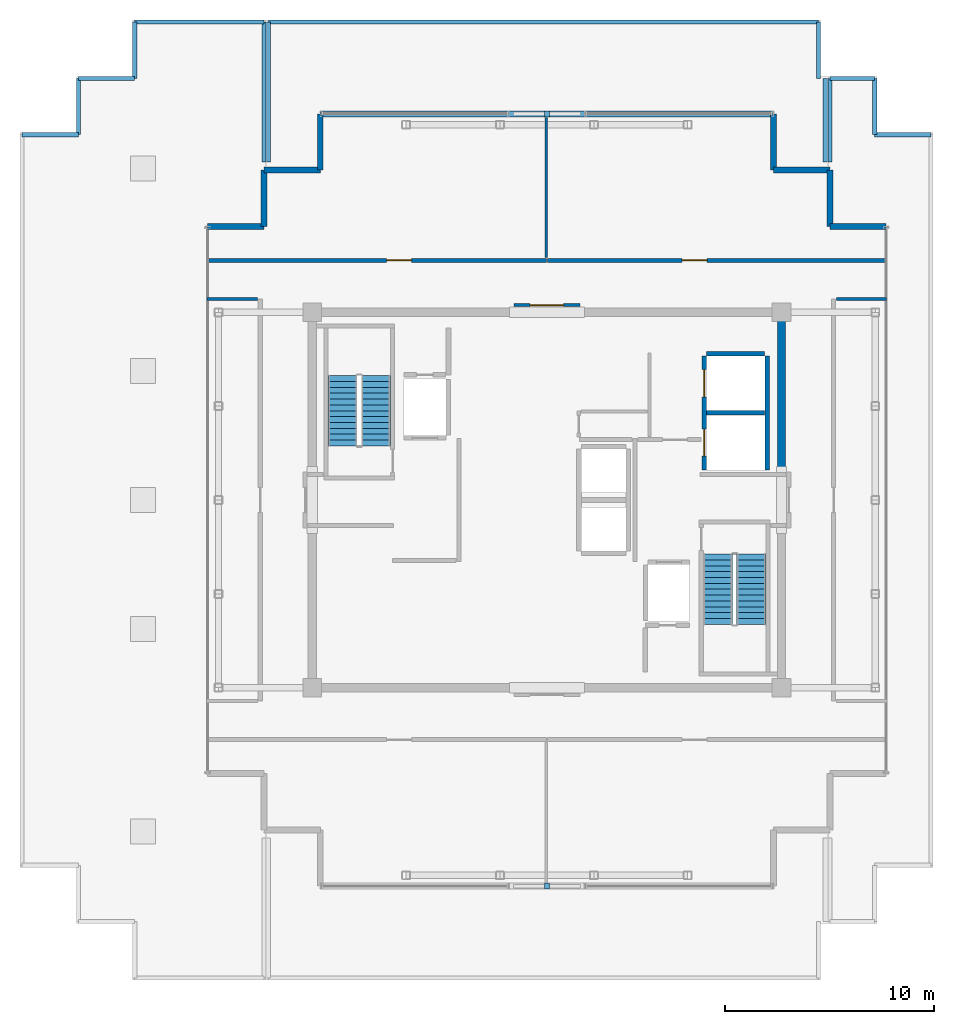
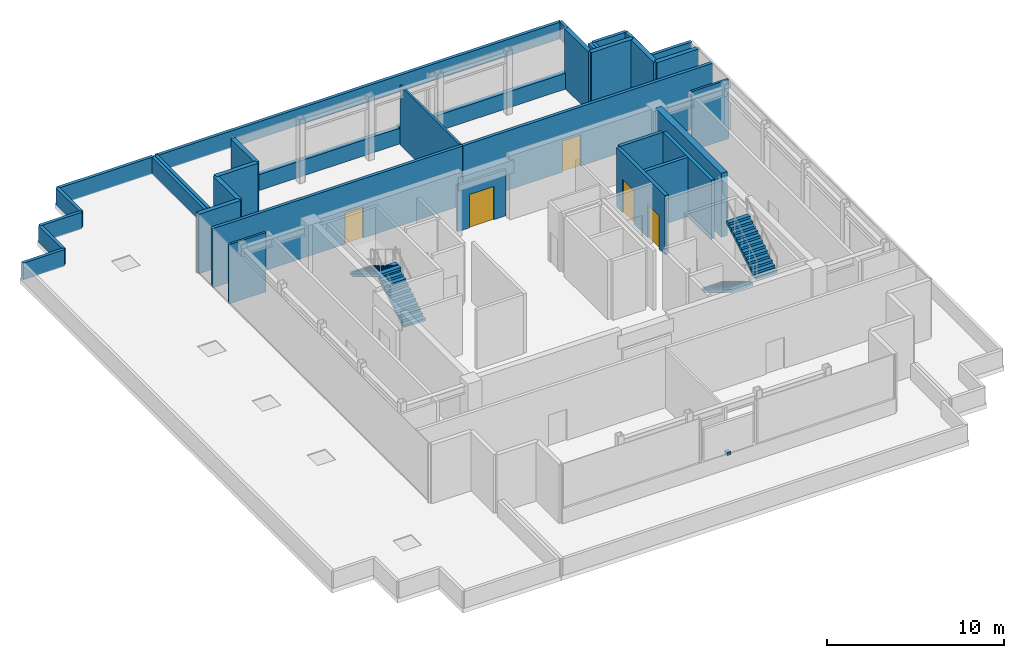
# One storey, part 11 of 14: 34 walls, 5 doors, 4 stair flights, 2 discrete accessories, 5 openings, 2 elements without a shape of their own.
"""IFC4 building model written with IfcOpenShell, lengths in metres."""

from ifc_helpers import new_model, si_unit, direction, frame, frame_2d, origin, origin_2d, place, context, subcontext, project, spatial, polyline, rectangle, outline, extrude, source, transform, mapped, material, layer, layer_set, type_object, element, fill, aggregate, save


model = new_model("IFC4")

# Units and contexts
model_context = context("Model", 3, precision=1e-05, world=origin(), true_north=direction((0.0, 1.0)))
body_context = subcontext(model_context, "Body", "Model", "MODEL_VIEW")
ifc_project = project(units=[si_unit("LENGTHUNIT", "METRE"), si_unit("AREAUNIT", "SQUARE_METRE"), si_unit("VOLUMEUNIT", "CUBIC_METRE"), si_unit("PLANEANGLEUNIT", "RADIAN"), si_unit("MASSUNIT", "GRAM", prefix="KILO")], contexts=[model_context])

# Site, building, storey
site_placement = place(None, origin())
site = spatial("IfcSite", under=ifc_project, at=site_placement, CompositionType="ELEMENT")
building_placement = place(site_placement, origin())
building = spatial("IfcBuilding", under=site, at=building_placement, Name="Nefas-Gora Pilgrimage Tower", CompositionType="ELEMENT")
storey_placement = place(building_placement, frame((0.0, 0.0, 358.60009765625)))
storey = spatial("IfcBuildingStorey", under=building, at=storey_placement, Name="L90", CompositionType="ELEMENT", Elevation=358.60009765625)

# Walls
ifc_material_1 = material(Name="Concrete C50/60", Category="concrete")
ifc_layer_1 = layer(ifc_material_1, 0.39990234375)
ifc_layer_set_1 = layer_set([ifc_layer_1], Name="Concrete C50/60")
wall_type_1 = type_object("IfcWallType", Name="SW-CORE-400", PredefinedType="SHEAR", material=ifc_layer_set_1)
shared_shape_1 = source(origin(), body_context, "Body", "SweptSolid", [
    extrude(rectangle(XDim=7.449951171875, YDim=0.39990234375, at=frame_2d((3.72509765625, 0.0))), origin(), (0.0, 0.0, 1.0), 4.39990234375),
])
wall_1_placement = place(storey_placement, frame((11.25, 1.35009765625, 0.0), z_axis=(0.0, 0.0, 1.0), x_axis=(0.0, 1.0, 0.0)))
element("IfcWall", 1, at=wall_1_placement, inside=storey, type_object=wall_type_1, Name="L90 Core Shear Wall E-North", PredefinedType="SHEAR", context=body_context, shape_type="MappedRepresentation", body=[
    mapped(shared_shape_1, transform((0.0, 0.0, 0.0), x_axis=(1.0, 0.0, 0.0), y_axis=(0.0, 1.0, 0.0), z_axis=(0.0, 0.0, 1.0), scale=1.0)),
])
ifc_material_2 = material(Name="Precast concrete C40/50", Category="concrete")
ifc_layer_2 = layer(ifc_material_2, 0.199951171875)
ifc_layer_set_2 = layer_set([ifc_layer_2], Name="Precast concrete C40/50")
wall_type_2 = type_object("IfcWallType", Name="EW-PARA-200", PredefinedType="PARAPET", material=ifc_layer_set_2)
shared_shape_2 = source(origin(), body_context, "Body", "SweptSolid", [
    extrude(rectangle(XDim=6.199951171875, YDim=0.199951171875, at=frame_2d((3.10009765625, 0.0))), origin(), (0.0, 0.0, 1.0), 1.14990234375),
])
wall_2_placement = place(storey_placement, frame((-19.77001953125, 22.919921875, 0.0), z_axis=(0.0, 0.0, 1.0), x_axis=(1.0, 0.0, 0.0)))
element("IfcWall", 2, at=wall_2_placement, inside=storey, type_object=wall_type_2, Name="L90 Maintenance Roof Perimeter Parapet 1.11", PredefinedType="PARAPET", context=body_context, shape_type="MappedRepresentation", body=[
    mapped(shared_shape_2, transform((0.0, 0.0, 0.0), x_axis=(1.0, 0.0, 0.0), y_axis=(0.0, 1.0, 0.0), z_axis=(0.0, 0.0, 1.0), scale=1.0)),
])
shared_shape_3 = source(origin(), body_context, "Body", "SweptSolid", [
    extrude(rectangle(XDim=2.699951171875, YDim=0.199951171875, at=frame_2d((1.35009765625, 0.0))), origin(), (0.0, 0.0, 1.0), 1.14990234375),
])
for number, where, z_axis, x_axis, name in (
    (3, (-25.169921875, 17.52001953125, 0.0), (0.0, 0.0, 1.0), (1.0, 0.0, 0.0), "L90 Maintenance Roof Perimeter Parapet 1.7"),
    (4, (-22.469970703125, 17.52001953125, 0.0), (0.0, 0.0, 1.0), (0.0, 1.0, 0.0), "L90 Maintenance Roof Perimeter Parapet 1.8"),
    (5, (-22.469970703125, 20.219970703125, 0.0), (0.0, 0.0, 1.0), (1.0, 0.0, 0.0), "L90 Maintenance Roof Perimeter Parapet 1.9"),
    (6, (-19.77001953125, 20.219970703125, 0.0), (0.0, 0.0, 1.0), (0.0, 1.0, 0.0), "L90 Maintenance Roof Perimeter Parapet 1.10"),
    (7, (15.719970703125, 20.219970703125, 0.0), (0.0, 0.0, 1.0), (0.0, -1.0, 0.0), "L90 Maintenance Roof Perimeter Parapet 2.6"),
    (8, (15.719970703125, 17.52001953125, 0.0), (0.0, 0.0, 1.0), (1.0, 0.0, 0.0), "L90 Maintenance Roof Perimeter Parapet 2.7"),
    (9, (13.02001953125, 22.919921875, 0.0), (0.0, 0.0, 1.0), (0.0, -1.0, 0.0), "L90 Maintenance Roof Perimeter Parapet 3.2"),
):
    element("IfcWall", number, at=place(storey_placement, frame(where, z_axis=z_axis, x_axis=x_axis)), inside=storey, type_object=wall_type_2, Name=name, PredefinedType="PARAPET", context=body_context, shape_type="MappedRepresentation", body=[
        mapped(shared_shape_3, transform((0.0, 0.0, 0.0), x_axis=(1.0, 0.0, 0.0), y_axis=(0.0, 1.0, 0.0), z_axis=(0.0, 0.0, 1.0), scale=1.0)),
    ])
shared_shape_4 = source(origin(), body_context, "Body", "SweptSolid", [
    extrude(rectangle(XDim=6.699951171875, YDim=0.199951171875, at=frame_2d((3.35009765625, 0.0))), origin(), (0.0, 0.0, 1.0), 1.14990234375),
])
for number, where, z_axis, x_axis, name in (
    (10, (-13.570068359375, 22.919921875, 0.0), (0.0, 0.0, 1.0), (0.0, -1.0, 0.0), "L90 Maintenance Roof Perimeter Parapet 1.12"),
    (11, (-13.35009765625, 16.219970703125, 0.0), (0.0, 0.0, 1.0), (0.0, 1.0, 0.0), "L90 Maintenance Roof Perimeter Parapet 3.4"),
):
    element("IfcWall", number, at=place(storey_placement, frame(where, z_axis=z_axis, x_axis=x_axis)), inside=storey, type_object=wall_type_2, Name=name, PredefinedType="PARAPET", context=body_context, shape_type="MappedRepresentation", body=[
        mapped(shared_shape_4, transform((0.0, 0.0, 0.0), x_axis=(1.0, 0.0, 0.0), y_axis=(0.0, 1.0, 0.0), z_axis=(0.0, 0.0, 1.0), scale=1.0)),
    ])
shared_shape_5 = source(origin(), body_context, "Body", "SweptSolid", [
    extrude(rectangle(XDim=2.14990234375, YDim=0.199951171875, at=frame_2d((1.074951171875, 0.0))), origin(), (0.0, 0.0, 1.0), 1.14990234375),
])
wall_3_placement = place(storey_placement, frame((13.570068359375, 20.219970703125, 0.0), z_axis=(0.0, 0.0, 1.0), x_axis=(1.0, 0.0, 0.0)))
element("IfcWall", 12, at=wall_3_placement, inside=storey, type_object=wall_type_2, Name="L90 Maintenance Roof Perimeter Parapet 2.5", PredefinedType="PARAPET", context=body_context, shape_type="MappedRepresentation", body=[
    mapped(shared_shape_5, transform((0.0, 0.0, 0.0), x_axis=(1.0, 0.0, 0.0), y_axis=(0.0, 1.0, 0.0), z_axis=(0.0, 0.0, 1.0), scale=1.0)),
])
shared_shape_6 = source(origin(), body_context, "Body", "SweptSolid", [
    extrude(rectangle(XDim=4.0, YDim=0.199951171875, at=frame_2d((2.0, 0.0))), origin(), (0.0, 0.0, 1.0), 1.14990234375),
])
for number, where, z_axis, x_axis, name in (
    (13, (13.570068359375, 16.219970703125, 0.0), (0.0, 0.0, 1.0), (0.0, 1.0, 0.0), "L90 Maintenance Roof Perimeter Parapet 2.4"),
    (14, (13.35009765625, 20.219970703125, 0.0), (0.0, 0.0, 1.0), (0.0, -1.0, 0.0), "L90 Maintenance Roof Perimeter Parapet 3.3"),
):
    element("IfcWall", number, at=place(storey_placement, frame(where, z_axis=z_axis, x_axis=x_axis)), inside=storey, type_object=wall_type_2, Name=name, PredefinedType="PARAPET", context=body_context, shape_type="MappedRepresentation", body=[
        mapped(shared_shape_6, transform((0.0, 0.0, 0.0), x_axis=(1.0, 0.0, 0.0), y_axis=(0.0, 1.0, 0.0), z_axis=(0.0, 0.0, 1.0), scale=1.0)),
    ])
shared_shape_7 = source(origin(), body_context, "Body", "SweptSolid", [
    extrude(rectangle(XDim=26.3701171875, YDim=0.199951171875, at=frame_2d((13.18505859375, 0.0))), origin(), (0.0, 0.0, 1.0), 1.14990234375),
])
wall_4_placement = place(storey_placement, frame((-13.35009765625, 22.919921875, 0.0), z_axis=(0.0, 0.0, 1.0), x_axis=(1.0, 0.0, 0.0)))
element("IfcWall", 15, at=wall_4_placement, inside=storey, type_object=wall_type_2, Name="L90 Maintenance Roof Perimeter Parapet 3.1", PredefinedType="PARAPET", context=body_context, shape_type="MappedRepresentation", body=[
    mapped(shared_shape_7, transform((0.0, 0.0, 0.0), x_axis=(1.0, 0.0, 0.0), y_axis=(0.0, 1.0, 0.0), z_axis=(0.0, 0.0, 1.0), scale=1.0)),
])
ifc_material_3 = material(Name="Precast concrete C45/55", Category="concrete")
ifc_layer_3 = layer(ifc_material_3, 0.280029296875)
ifc_layer_set_3 = layer_set([ifc_layer_3], Name="Precast concrete C45/55")
wall_type_3 = type_object("IfcWallType", Name="EW-PLANT-280", PredefinedType="SOLIDWALL", material=ifc_layer_set_3)
shared_shape_8 = source(origin(), body_context, "Body", "SweptSolid", [
    extrude(rectangle(XDim=2.699951171875, YDim=0.280029296875, at=frame_2d((1.35009765625, 0.0))), origin(), (0.0, 0.0, 1.0), 4.099853515625),
])
for number, where, z_axis, x_axis, name in (
    (16, (16.27001953125, 13.1201171875, 0.0), (0.0, 0.0, 1.0), (-1.0, 0.0, 0.0), "L90 Serrated Corner Shear Pier Wall 1"),
    (17, (13.570068359375, 13.1201171875, 0.0), (0.0, 0.0, 1.0), (0.0, 1.0, 0.0), "L90 Serrated Corner Shear Pier Wall 2"),
    (18, (13.570068359375, 15.820068359375, 0.0), (0.0, 0.0, 1.0), (-1.0, 0.0, 0.0), "L90 Serrated Corner Shear Pier Wall 3"),
    (19, (10.8701171875, 15.820068359375, 0.0), (0.0, 0.0, 1.0), (0.0, 1.0, 0.0), "L90 Serrated Corner Shear Pier Wall 4"),
    (20, (-10.8701171875, 18.52001953125, 0.0), (0.0, 0.0, 1.0), (0.0, -1.0, 0.0), "L90 Serrated Corner Shear Pier Wall 6"),
    (21, (-10.8701171875, 15.820068359375, 0.0), (0.0, 0.0, 1.0), (-1.0, 0.0, 0.0), "L90 Serrated Corner Shear Pier Wall 7"),
    (22, (-13.570068359375, 15.820068359375, 0.0), (0.0, 0.0, 1.0), (0.0, -1.0, 0.0), "L90 Serrated Corner Shear Pier Wall 8"),
    (23, (-13.570068359375, 13.1201171875, 0.0), (0.0, 0.0, 1.0), (-1.0, 0.0, 0.0), "L90 Serrated Corner Shear Pier Wall 9"),
):
    element("IfcWall", number, at=place(storey_placement, frame(where, z_axis=z_axis, x_axis=x_axis)), inside=storey, type_object=wall_type_3, Name=name, PredefinedType="SOLIDWALL", context=body_context, shape_type="MappedRepresentation", body=[
        mapped(shared_shape_8, transform((0.0, 0.0, 0.0), x_axis=(1.0, 0.0, 0.0), y_axis=(0.0, 1.0, 0.0), z_axis=(0.0, 0.0, 1.0), scale=1.0)),
    ])
shared_shape_9 = source(origin(), body_context, "Body", "SweptSolid", [
    extrude(rectangle(XDim=21.740234375, YDim=0.280029296875, at=frame_2d((10.8701171875, 0.0))), origin(), (0.0, 0.0, 1.0), 1.099853515625),
])
wall_5_placement = place(storey_placement, frame((10.8701171875, 18.52001953125, 0.0), z_axis=(0.0, 0.0, 1.0), x_axis=(-1.0, 0.0, 0.0)))
element("IfcWall", 24, at=wall_5_placement, inside=storey, type_object=wall_type_3, Name="L90 Plant Upstand Spandrel Wall 5", PredefinedType="SOLIDWALL", context=body_context, shape_type="MappedRepresentation", body=[
    mapped(shared_shape_9, transform((0.0, 0.0, 0.0), x_axis=(1.0, 0.0, 0.0), y_axis=(0.0, 1.0, 0.0), z_axis=(0.0, 0.0, 1.0), scale=1.0)),
])

# Wall, openings, doors
ifc_material_4 = material(Name="Concrete C40/50", Category="concrete")
ifc_layer_4 = layer(ifc_material_4, 0.219970703125)
ifc_layer_set_4 = layer_set([ifc_layer_4], Name="Concrete C40/50")
wall_type_4 = type_object("IfcWallType", Name="IW-SHAFT-220", PredefinedType="SOLIDWALL", material=ifc_layer_set_4)
shared_shape_10 = source(origin(), body_context, "Body", "SweptSolid", [
    extrude(rectangle(XDim=5.449951171875, YDim=0.219970703125, at=frame_2d((2.72509765625, 0.0))), origin(), (0.0, 0.0, 1.0), 4.0849609375),
])
wall_6_placement = place(storey_placement, frame((7.5400390625, 6.89990234375, 0.0), z_axis=(0.0, 0.0, 1.0), x_axis=(0.0, -1.0, 0.0)))
wall_6 = element("IfcWall", 25, at=wall_6_placement, inside=storey, type_object=wall_type_4, Name="L90 Hoistway Wall SL-01-02-W", PredefinedType="SOLIDWALL", context=body_context, shape_type="MappedRepresentation", body=[
    mapped(shared_shape_10, transform((0.0, 0.0, 0.0), x_axis=(1.0, 0.0, 0.0), y_axis=(0.0, 1.0, 0.0), z_axis=(0.0, 0.0, 1.0), scale=1.0)),
])
opening_1_placement = place(wall_6_placement, frame((3.5, 0.0, 0.0)))
opening_1 = element("IfcOpeningElement", 26, at=opening_1_placement, cuts=wall_6, Name="Opening LD-SV", PredefinedType="OPENING", context=body_context, shape_type="SweptSolid", body=[
    extrude(rectangle(XDim=1.300048828125, YDim=2.300048828125, at=frame_2d((0.64990234375, 1.14990234375))), frame((0.0, 0.119873046875, 0.0), z_axis=(0.0, -1.0, 0.0), x_axis=(1.0, 0.0, 0.0)), (0.0, 0.0, 1.0), 0.239990234375),
])
opening_2_placement = place(wall_6_placement, frame((0.64990234375, 0.0, 0.0)))
opening_2 = element("IfcOpeningElement", 27, at=opening_2_placement, cuts=wall_6, Name="Opening LD-SV", PredefinedType="OPENING", context=body_context, shape_type="SweptSolid", body=[
    extrude(rectangle(XDim=1.300048828125, YDim=2.300048828125, at=frame_2d((0.64990234375, 1.14990234375))), frame((0.0, 0.119873046875, 0.0), z_axis=(0.0, -1.0, 0.0), x_axis=(1.0, 0.0, 0.0)), (0.0, 0.0, 1.0), 0.239990234375),
])
ifc_material_5 = material(Name="Heavy goods sliding lift landing door")
door_type_1 = type_object("IfcDoorType", Name="DR-LIFT-SERV-1300", OperationType="SLIDING_TO_RIGHT", PredefinedType="DOOR", material=ifc_material_5)
shared_shape_11 = source(origin(), body_context, "Body", "SweptSolid", [
    extrude(rectangle(XDim=1.300048828125, YDim=2.300048828125, at=frame_2d((0.64990234375, 1.14990234375))), frame((0.0, 0.02490234375, 0.0), z_axis=(0.0, -1.0, 0.0), x_axis=(1.0, 0.0, 0.0)), (0.0, 0.0, 1.0), 0.050048828125),
])
door_1_placement = place(opening_1_placement, origin())
door_1 = element("IfcDoor", 28, at=door_1_placement, inside=storey, type_object=door_type_1, Name="L90 Sliding Lift Landing Door SL-01", OperationType="SLIDING_TO_RIGHT", OverallHeight=2.300048828125, OverallWidth=1.300048828125, PredefinedType="DOOR", context=body_context, shape_type="MappedRepresentation", body=[
    mapped(shared_shape_11, transform((0.0, 0.0, 0.0), x_axis=(1.0, 0.0, 0.0), y_axis=(0.0, 1.0, 0.0), z_axis=(0.0, 0.0, 1.0), scale=1.0)),
])
fill(opening_1, door_1)
door_2_placement = place(opening_2_placement, origin())
door_2 = element("IfcDoor", 29, at=door_2_placement, inside=storey, type_object=door_type_1, Name="L90 Sliding Lift Landing Door SL-02", OperationType="SLIDING_TO_RIGHT", OverallHeight=2.300048828125, OverallWidth=1.300048828125, PredefinedType="DOOR", context=body_context, shape_type="MappedRepresentation", body=[
    mapped(shared_shape_11, transform((0.0, 0.0, 0.0), x_axis=(1.0, 0.0, 0.0), y_axis=(0.0, 1.0, 0.0), z_axis=(0.0, 0.0, 1.0), scale=1.0)),
])
fill(opening_2, door_2)

# Walls
wall_7_placement = place(storey_placement, frame((10.56005859375, 1.449951171875, 0.0), z_axis=(0.0, 0.0, 1.0), x_axis=(0.0, 1.0, 0.0)))
element("IfcWall", 30, at=wall_7_placement, inside=storey, type_object=wall_type_4, Name="L90 Hoistway Wall SL-01-02-E", PredefinedType="SOLIDWALL", context=body_context, shape_type="MappedRepresentation", body=[
    mapped(shared_shape_10, transform((0.0, 0.0, 0.0), x_axis=(1.0, 0.0, 0.0), y_axis=(0.0, 1.0, 0.0), z_axis=(0.0, 0.0, 1.0), scale=1.0)),
])
shared_shape_12 = source(origin(), body_context, "Body", "SweptSolid", [
    extrude(rectangle(XDim=2.780029296875, YDim=0.219970703125, at=frame_2d((1.39013671875, 0.0))), origin(), (0.0, 0.0, 1.0), 4.0849609375),
])
for number, where, z_axis, x_axis, name in (
    (31, (7.659912109375, 4.175048828125, 0.0), (0.0, 0.0, 1.0), (1.0, 0.0, 0.0), "L90 Hoistway Wall SL-01-02-DIV"),
    (32, (10.43994140625, 7.010009765625, 0.0), (0.0, 0.0, 1.0), (-1.0, 0.0, 0.0), "L90 Hoistway Wall SL-02-N"),
):
    element("IfcWall", number, at=place(storey_placement, frame(where, z_axis=z_axis, x_axis=x_axis)), inside=storey, type_object=wall_type_4, Name=name, PredefinedType="SOLIDWALL", context=body_context, shape_type="MappedRepresentation", body=[
        mapped(shared_shape_12, transform((0.0, 0.0, 0.0), x_axis=(1.0, 0.0, 0.0), y_axis=(0.0, 1.0, 0.0), z_axis=(0.0, 0.0, 1.0), scale=1.0)),
    ])

# Wall, opening, door
ifc_material_6 = material(Name="Gypsum acoustic stud partition")
ifc_layer_5 = layer(ifc_material_6, 0.159912109375)
ifc_layer_set_5 = layer_set([ifc_layer_5], Name="Gypsum acoustic stud partition")
wall_type_5 = type_object("IfcWallType", Name="IW-CORR-160", PredefinedType="PARTITIONING", material=ifc_layer_set_5)
shared_shape_13 = source(origin(), body_context, "Body", "SweptSolid", [
    extrude(rectangle(XDim=3.16015625, YDim=0.159912109375, at=frame_2d((1.580078125, 0.0))), origin(), (0.0, 0.0, 1.0), 3.1748046875),
])
wall_8_placement = place(storey_placement, frame((-1.580078125, 9.35009765625, 0.0), z_axis=(0.0, 0.0, 1.0), x_axis=(1.0, 0.0, 0.0)))
wall_8 = element("IfcWall", 33, at=wall_8_placement, inside=storey, type_object=wall_type_5, Name="L90 Central Lift Lobby North Portal Wall 16", PredefinedType="PARTITIONING", context=body_context, shape_type="MappedRepresentation", body=[
    mapped(shared_shape_13, transform((0.0, 0.0, 0.0), x_axis=(1.0, 0.0, 0.0), y_axis=(0.0, 1.0, 0.0), z_axis=(0.0, 0.0, 1.0), scale=1.0)),
])
opening_3_placement = place(wall_8_placement, frame((0.780029296875, 0.0, 0.0)))
opening_3 = element("IfcOpeningElement", 34, at=opening_3_placement, cuts=wall_8, Name="Opening ID-HL1", PredefinedType="OPENING", context=body_context, shape_type="SweptSolid", body=[
    extrude(rectangle(XDim=1.60009765625, YDim=2.300048828125, at=frame_2d((0.800048828125, 1.14990234375))), frame((0.0, 0.08984375, 0.0), z_axis=(0.0, -1.0, 0.0), x_axis=(1.0, 0.0, 0.0)), (0.0, 0.0, 1.0), 0.179931640625),
])
ifc_material_7 = material(Name="Double acoustic timber assembly hall door", Category="wood")
door_type_2 = type_object("IfcDoorType", Name="DR-INT-HALL-1600", OperationType="DOUBLE_DOOR_SINGLE_SWING", PredefinedType="DOOR", material=ifc_material_7)
shared_shape_14 = source(origin(), body_context, "Body", "SweptSolid", [
    extrude(rectangle(XDim=1.60009765625, YDim=2.300048828125, at=frame_2d((0.800048828125, 1.14990234375))), frame((0.0, 0.02490234375, 0.0), z_axis=(0.0, -1.0, 0.0), x_axis=(1.0, 0.0, 0.0)), (0.0, 0.0, 1.0), 0.050048828125),
])
door_3_placement = place(opening_3_placement, origin())
door_3 = element("IfcDoor", 35, at=door_3_placement, inside=storey, type_object=door_type_2, Name="L90 Central Lift Lobby North Portal Door 6", OperationType="DOUBLE_DOOR_SINGLE_SWING", OverallHeight=2.300048828125, OverallWidth=1.60009765625, PredefinedType="DOOR", context=body_context, shape_type="MappedRepresentation", body=[
    mapped(shared_shape_14, transform((0.0, 0.0, 0.0), x_axis=(1.0, 0.0, 0.0), y_axis=(0.0, 1.0, 0.0), z_axis=(0.0, 0.0, 1.0), scale=1.0)),
])
fill(opening_3, door_3)

# Walls
ifc_material_8 = material(Name="Gypsum twin-stud partition")
ifc_layer_6 = layer(ifc_material_8, 0.139892578125)
ifc_layer_set_6 = layer_set([ifc_layer_6], Name="Gypsum twin-stud partition")
wall_type_6 = type_object("IfcWallType", Name="IW-UNIT-140", PredefinedType="PARTITIONING", material=ifc_layer_set_6)
shared_shape_15 = source(origin(), body_context, "Body", "SweptSolid", [
    extrude(rectangle(XDim=2.400146484375, YDim=0.139892578125, at=frame_2d((1.2001953125, 0.0))), origin(), (0.0, 0.0, 1.0), 4.0849609375),
])
for number, where, z_axis, x_axis, name in (
    (36, (-16.2900390625, 9.6298828125, 0.0), (0.0, 0.0, 1.0), (1.0, 0.0, 0.0), "L90 Emergency Power Switchgear Plant Room Partition Wall 23"),
    (37, (13.889892578125, 9.6298828125, 0.0), (0.0, 0.0, 1.0), (1.0, 0.0, 0.0), "L90 Tower Elevator Machine Plant Room Partition Wall 25"),
):
    element("IfcWall", number, at=place(storey_placement, frame(where, z_axis=z_axis, x_axis=x_axis)), inside=storey, type_object=wall_type_6, Name=name, PredefinedType="PARTITIONING", context=body_context, shape_type="MappedRepresentation", body=[
        mapped(shared_shape_15, transform((0.0, 0.0, 0.0), x_axis=(1.0, 0.0, 0.0), y_axis=(0.0, 1.0, 0.0), z_axis=(0.0, 0.0, 1.0), scale=1.0)),
    ])

# Wall, opening, door
ifc_layer_7 = layer(ifc_material_4, 0.199951171875)
ifc_layer_set_7 = layer_set([ifc_layer_7], Name="Concrete C40/50")
wall_type_7 = type_object("IfcWallType", Name="IW-PLANT-200", PredefinedType="SOLIDWALL", material=ifc_layer_set_7)
shared_shape_16 = source(origin(), body_context, "Body", "SweptSolid", [
    extrude(rectangle(XDim=16.27001953125, YDim=0.199951171875, at=frame_2d((8.135009765625, 0.0))), origin(), (0.0, 0.0, 1.0), 4.0849609375),
])
wall_9_placement = place(storey_placement, frame((-16.2900390625, 11.489990234375, 0.0), z_axis=(0.0, 0.0, 1.0), x_axis=(1.0, 0.0, 0.0)))
wall_9 = element("IfcWall", 38, at=wall_9_placement, inside=storey, type_object=wall_type_7, Name="L90 Water-Cooled Chiller Plant Room Partition Wall 27", PredefinedType="SOLIDWALL", context=body_context, shape_type="MappedRepresentation", body=[
    mapped(shared_shape_16, transform((0.0, 0.0, 0.0), x_axis=(1.0, 0.0, 0.0), y_axis=(0.0, 1.0, 0.0), z_axis=(0.0, 0.0, 1.0), scale=1.0)),
])
opening_4_placement = place(wall_9_placement, frame((8.60107421875, 0.0, 0.0)))
opening_4 = element("IfcOpeningElement", 39, at=opening_4_placement, cuts=wall_9, Name="Opening ID-PL1", PredefinedType="OPENING", context=body_context, shape_type="SweptSolid", body=[
    extrude(rectangle(XDim=1.199951171875, YDim=2.14990234375, at=frame_2d((0.60009765625, 1.074951171875))), frame((0.0, 0.10986328125, 0.0), z_axis=(0.0, -1.0, 0.0), x_axis=(1.0, 0.0, 0.0)), (0.0, 0.0, 1.0), 0.219970703125),
])
ifc_material_9 = material(Name="Heavy-duty steel plant room fire door", Category="steel")
door_type_3 = type_object("IfcDoorType", Name="DR-INT-PLANT-1200", OperationType="NOTDEFINED", PredefinedType="DOOR", material=ifc_material_9)
shared_shape_17 = source(origin(), body_context, "Body", "SweptSolid", [
    extrude(rectangle(XDim=1.199951171875, YDim=2.14990234375, at=frame_2d((0.60009765625, 1.074951171875))), frame((0.0, 0.02490234375, 0.0), z_axis=(0.0, -1.0, 0.0), x_axis=(1.0, 0.0, 0.0)), (0.0, 0.0, 1.0), 0.050048828125),
])
door_4_placement = place(opening_4_placement, origin())
door_4 = element("IfcDoor", 40, at=door_4_placement, inside=storey, type_object=door_type_3, Name="L90 Water-Cooled Chiller Plant Room Door 11", OperationType="SINGLE_SWING_LEFT", OverallHeight=2.14990234375, OverallWidth=1.199951171875, PredefinedType="DOOR", context=body_context, shape_type="MappedRepresentation", body=[
    mapped(shared_shape_17, transform((0.0, 0.0, 0.0), x_axis=(1.0, 0.0, 0.0), y_axis=(0.0, 1.0, 0.0), z_axis=(0.0, 0.0, 1.0), scale=1.0)),
])
fill(opening_4, door_4)

wall_10_placement = place(storey_placement, frame((0.02001953125, 11.489990234375, 0.0), z_axis=(0.0, 0.0, 1.0), x_axis=(1.0, 0.0, 0.0)))
wall_10 = element("IfcWall", 41, at=wall_10_placement, inside=storey, type_object=wall_type_7, Name="L90 High-Altitude Heat-Recovery AHU Plant Room Partition Wall 29", PredefinedType="SOLIDWALL", context=body_context, shape_type="MappedRepresentation", body=[
    mapped(shared_shape_16, transform((0.0, 0.0, 0.0), x_axis=(1.0, 0.0, 0.0), y_axis=(0.0, 1.0, 0.0), z_axis=(0.0, 0.0, 1.0), scale=1.0)),
])
opening_5_placement = place(wall_10_placement, frame((6.468994140625, 0.0, 0.0)))
opening_5 = element("IfcOpeningElement", 42, at=opening_5_placement, cuts=wall_10, Name="Opening ID-PL1", PredefinedType="OPENING", context=body_context, shape_type="SweptSolid", body=[
    extrude(rectangle(XDim=1.199951171875, YDim=2.14990234375, at=frame_2d((0.60009765625, 1.074951171875))), frame((0.0, 0.10986328125, 0.0), z_axis=(0.0, -1.0, 0.0), x_axis=(1.0, 0.0, 0.0)), (0.0, 0.0, 1.0), 0.219970703125),
])
door_5_placement = place(opening_5_placement, origin())
door_5 = element("IfcDoor", 43, at=door_5_placement, inside=storey, type_object=door_type_3, Name="L90 High-Altitude Heat-Recovery AHU Plant Room Door 12", OperationType="SINGLE_SWING_RIGHT", OverallHeight=2.14990234375, OverallWidth=1.199951171875, PredefinedType="DOOR", context=body_context, shape_type="MappedRepresentation", body=[
    mapped(shared_shape_17, transform((0.0, 0.0, 0.0), x_axis=(1.0, 0.0, 0.0), y_axis=(0.0, 1.0, 0.0), z_axis=(0.0, 0.0, 1.0), scale=1.0)),
])
fill(opening_5, door_5)

# Wall
shared_shape_18 = source(origin(), body_context, "Body", "SweptSolid", [
    extrude(rectangle(XDim=6.710205078125, YDim=0.139892578125, at=frame_2d((3.35498046875, 0.0))), origin(), (0.0, 0.0, 1.0), 4.0849609375),
])
wall_11_placement = place(storey_placement, frame((-0.030029296875, 11.6298828125, 0.0), z_axis=(0.0, 0.0, 1.0), x_axis=(0.0, 1.0, 0.0)))
element("IfcWall", 44, at=wall_11_placement, inside=storey, type_object=wall_type_6, Name="L90 Water-Cooled Chiller Plant Room Partition Wall 28", PredefinedType="PARTITIONING", context=body_context, shape_type="MappedRepresentation", body=[
    mapped(shared_shape_18, transform((0.0, 0.0, 0.0), x_axis=(1.0, 0.0, 0.0), y_axis=(0.0, 1.0, 0.0), z_axis=(0.0, 0.0, 1.0), scale=1.0)),
])

# Stair, stair flights
ifc_material_10 = material(Name="Concrete C45/55", Category="concrete")
stair_type = type_object("IfcStairType", Name="STR-1400-R1692", PredefinedType="HALF_TURN_STAIR", material=ifc_material_10)
stair_1_placement = place(storey_placement, origin())
stair_1 = element("IfcStair", 45, at=stair_1_placement, inside=storey, type_object=stair_type, Name="L90 Pressurised Tower Exit Stair ST-01", PredefinedType="HALF_TURN_STAIR")
stair_flight_type = type_object("IfcStairFlightType", Name="STF-1400-R1692", PredefinedType="STRAIGHT", material=ifc_material_10)
shared_shape_19 = source(origin(), body_context, "Body", "SweptSolid", [
    extrude(outline(polyline([(0.0, 0.0), (0.0, 0.169189453125), (0.280029296875, 0.169189453125), (0.280029296875, 0.33837890625), (0.56005859375, 0.33837890625), (0.56005859375, 0.5078125), (0.840087890625, 0.5078125), (0.840087890625, 0.677001953125), (1.1201171875, 0.677001953125), (1.1201171875, 0.84619140625), (1.39990234375, 0.84619140625), (1.39990234375, 1.015380859375), (1.679931640625, 1.015380859375), (1.679931640625, 1.1845703125), (1.9599609375, 1.1845703125), (1.9599609375, 1.353759765625), (2.239990234375, 1.353759765625), (2.239990234375, 1.523193359375), (2.52001953125, 1.523193359375), (2.52001953125, 1.6923828125), (2.800048828125, 1.6923828125), (2.800048828125, 1.861572265625), (3.080078125, 1.861572265625), (3.080078125, 2.03076171875), (3.360107421875, 2.03076171875), (3.360107421875, 2.199951171875), (3.360107421875, 1.855712890625), (0.289794921875, 0.0), (0.0, 0.0)])), frame((0.0, 0.699951171875, 0.0), z_axis=(0.0, -1.0, 0.0), x_axis=(1.0, 0.0, 0.0)), (0.0, 0.0, 1.0), 1.39990234375),
])
stair_flight_1_placement = place(storey_placement, frame((-8.199951171875, 2.60009765625, 0.0), z_axis=(0.0, 0.0, 1.0), x_axis=(0.0, 1.0, 0.0)))
stair_flight_1 = element("IfcStairFlight", 46, at=stair_flight_1_placement, type_object=stair_flight_type, Name="ST-01 flight 1", NumberOfRisers=13, NumberOfTreads=12, PredefinedType="STRAIGHT", RiserHeight=0.169230769, TreadLength=0.28, context=body_context, shape_type="MappedRepresentation", body=[
    mapped(shared_shape_19, transform((0.0, 0.0, 0.0), x_axis=(1.0, 0.0, 0.0), y_axis=(0.0, 1.0, 0.0), z_axis=(0.0, 0.0, 1.0), scale=1.0)),
])
stair_flight_2_placement = place(storey_placement, frame((-9.800048828125, 5.9599609375, 2.199951171875), z_axis=(0.0, 0.0, 1.0), x_axis=(0.0, -1.0, 0.0)))
stair_flight_2 = element("IfcStairFlight", 47, at=stair_flight_2_placement, type_object=stair_flight_type, Name="ST-01 flight 2", NumberOfRisers=13, NumberOfTreads=12, PredefinedType="STRAIGHT", RiserHeight=0.169230769, TreadLength=0.28, context=body_context, shape_type="MappedRepresentation", body=[
    mapped(shared_shape_19, transform((0.0, 0.0, 0.0), x_axis=(1.0, 0.0, 0.0), y_axis=(0.0, 1.0, 0.0), z_axis=(0.0, 0.0, 1.0), scale=1.0)),
])
aggregate(stair_1, [stair_flight_1, stair_flight_2])

stair_2_placement = place(storey_placement, origin())
stair_2 = element("IfcStair", 48, at=stair_2_placement, inside=storey, type_object=stair_type, Name="L90 Pressurised Tower Exit Stair ST-02", PredefinedType="HALF_TURN_STAIR")
stair_flight_3_placement = place(storey_placement, frame((8.199951171875, -2.60009765625, 0.0), z_axis=(0.0, 0.0, 1.0), x_axis=(0.0, -1.0, 0.0)))
stair_flight_3 = element("IfcStairFlight", 49, at=stair_flight_3_placement, type_object=stair_flight_type, Name="ST-02 flight 1", NumberOfRisers=13, NumberOfTreads=12, PredefinedType="STRAIGHT", RiserHeight=0.169230769, TreadLength=0.28, context=body_context, shape_type="MappedRepresentation", body=[
    mapped(shared_shape_19, transform((0.0, 0.0, 0.0), x_axis=(1.0, 0.0, 0.0), y_axis=(0.0, 1.0, 0.0), z_axis=(0.0, 0.0, 1.0), scale=1.0)),
])
stair_flight_4_placement = place(storey_placement, frame((9.800048828125, -5.9599609375, 2.199951171875), z_axis=(0.0, 0.0, 1.0), x_axis=(0.0, 1.0, 0.0)))
stair_flight_4 = element("IfcStairFlight", 50, at=stair_flight_4_placement, type_object=stair_flight_type, Name="ST-02 flight 2", NumberOfRisers=13, NumberOfTreads=12, PredefinedType="STRAIGHT", RiserHeight=0.169230769, TreadLength=0.28, context=body_context, shape_type="MappedRepresentation", body=[
    mapped(shared_shape_19, transform((0.0, 0.0, 0.0), x_axis=(1.0, 0.0, 0.0), y_axis=(0.0, 1.0, 0.0), z_axis=(0.0, 0.0, 1.0), scale=1.0)),
])
aggregate(stair_2, [stair_flight_3, stair_flight_4])

# Discrete accessories
ifc_material_11 = material(Name="Hot-dip galvanised steel S355", Category="steel")
discrete_accessory_type = type_object("IfcDiscreteAccessoryType", Name="ACC-BRACKET-STL", PredefinedType="BRACKET", material=ifc_material_11)
shared_shape_20 = source(origin(), body_context, "Body", "SweptSolid", [
    extrude(rectangle(XDim=0.239990234375, YDim=0.280029296875, at=origin_2d()), origin(), (0.0, 0.0, 1.0), 0.199951171875),
])
for number, where, z_axis, x_axis, name in (
    (51, (0.0, 18.52001953125, 1.0), (0.0, 0.0, 1.0), (1.0, 0.0, 0.0), "L90 Louvre Support Bracket 5"),
    (52, (0.0, -18.52001953125, 1.0), (0.0, 0.0, 1.0), (1.0, 0.0, 0.0), "L90 Louvre Support Bracket 14"),
):
    element("IfcDiscreteAccessory", number, at=place(storey_placement, frame(where, z_axis=z_axis, x_axis=x_axis)), inside=storey, type_object=discrete_accessory_type, Name=name, PredefinedType="BRACKET", context=body_context, shape_type="MappedRepresentation", body=[
        mapped(shared_shape_20, transform((0.0, 0.0, 0.0), x_axis=(1.0, 0.0, 0.0), y_axis=(0.0, 1.0, 0.0), z_axis=(0.0, 0.0, 1.0), scale=1.0)),
    ])

save(model, "model.ifc")
